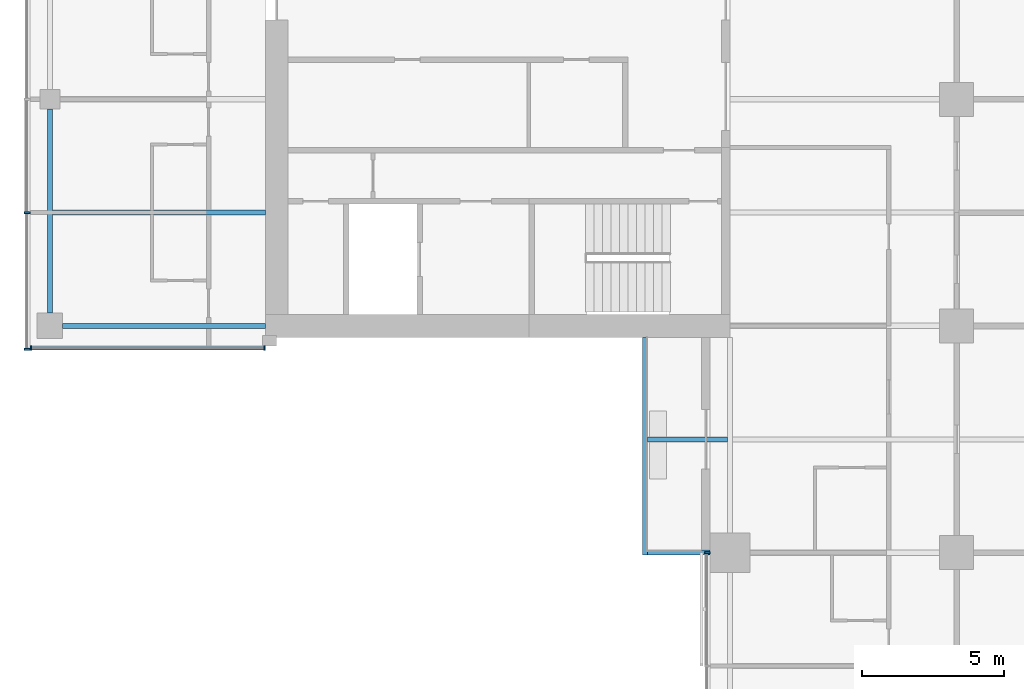
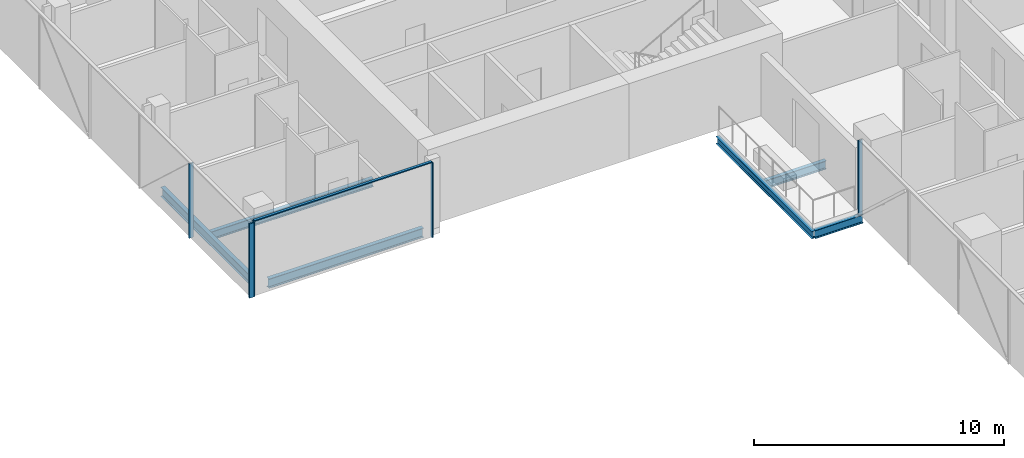
# One storey, part 3 of 29: 6 beams, 6 members, 3 elements without a shape of their own.
"""IFC4 building model written with IfcOpenShell, lengths in metres."""

from ifc_helpers import new_model, si_unit, direction, frame, origin, origin_2d, place, context, subcontext, project, spatial, rectangle, i_section, extrude, material, material_profile, profile_set, type_object, element, aggregate, save


model = new_model("IFC4")

# Units and contexts
model_context = context("Model", 3, precision=1e-05, world=origin(), true_north=direction((0.0, 1.0)))
body_context = subcontext(model_context, "Body", "Model", "MODEL_VIEW")
ifc_project = project(units=[si_unit("LENGTHUNIT", "METRE"), si_unit("AREAUNIT", "SQUARE_METRE"), si_unit("VOLUMEUNIT", "CUBIC_METRE"), si_unit("PLANEANGLEUNIT", "RADIAN"), si_unit("MASSUNIT", "GRAM", prefix="KILO")], contexts=[model_context])

# Site, building, storey
site_placement = place(None, origin())
site = spatial("IfcSite", under=ifc_project, at=site_placement, CompositionType="ELEMENT")
building_placement = place(site_placement, origin())
building = spatial("IfcBuilding", under=site, at=building_placement, Name="Crosswind Convention Tower", CompositionType="ELEMENT")
storey_placement = place(building_placement, frame((0.0, 0.0, 57.199951171875)))
storey = spatial("IfcBuildingStorey", under=building, at=storey_placement, Name="L08", CompositionType="ELEMENT", Elevation=57.199951171875)

# Beams
ifc_material_1 = material(Name="Steel S355", Category="steel")
ifc_material_profile_1 = material_profile(ifc_material_1, i_section(OverallWidth=0.177734375, OverallDepth=0.406494140625, WebThickness=0.0078125, FlangeThickness=0.0126953125, FilletRadius=0.01025390625, at=origin_2d()), Name="UB 406x178x60")
ifc_profile_set_1 = profile_set([ifc_material_profile_1], Name="Steel S355")
beam_type_1 = type_object("IfcBeamType", Name="Balcony cantilever UB 406x178x60", PredefinedType="BEAM", material=ifc_profile_set_1)
beam_1_placement = place(storey_placement, frame((112.90478515625, 84.0, -0.483154296875), z_axis=(-1.0, 0.0, 0.0), x_axis=(0.0, -1.0, 0.0)))
element("IfcBeam", 1, at=beam_1_placement, inside=storey, type_object=beam_type_1, Name="B35 L08 balcony cantilever SW 7", PredefinedType="BEAM", context=body_context, shape_type="SweptSolid", body=[
    extrude(i_section(OverallWidth=0.177734375, OverallDepth=0.406494140625, WebThickness=0.0078125, FlangeThickness=0.0126953125, FilletRadius=0.01025390625, at=origin_2d()), origin(), (0.0, 0.0, 1.0), 2.8193359375),
])
beam_2_placement = place(storey_placement, frame((112.300048828125, 80.0, -0.483154296875), z_axis=(-1.0, 0.0, 0.0), x_axis=(0.0, -1.0, 0.0)))
element("IfcBeam", 2, at=beam_2_placement, inside=storey, type_object=beam_type_1, Name="B35 L08 balcony cantilever SW 8", PredefinedType="BEAM", context=body_context, shape_type="SweptSolid", body=[
    extrude(i_section(OverallWidth=0.177734375, OverallDepth=0.406494140625, WebThickness=0.0078125, FlangeThickness=0.0126953125, FilletRadius=0.01025390625, at=origin_2d()), origin(), (0.0, 0.0, 1.0), 2.214599609375),
])
ifc_material_profile_2 = material_profile(ifc_material_1, i_section(OverallWidth=0.1708984375, OverallDepth=0.35205078125, WebThickness=0.0068359375, FlangeThickness=0.009765625, FilletRadius=0.01025390625, at=origin_2d()), Name="UB 356x171x45")
ifc_profile_set_2 = profile_set([ifc_material_profile_2], Name="Steel S355")
beam_type_2 = type_object("IfcBeamType", Name="Balcony edge beam UB 356x171x45", PredefinedType="BEAM", material=ifc_profile_set_2)
beam_3_placement = place(storey_placement, frame((110.0, 87.60009765625, -0.4560546875), z_axis=(0.0, -1.0, 0.0), x_axis=(1.0, 0.0, 0.0)))
element("IfcBeam", 3, at=beam_3_placement, inside=storey, type_object=beam_type_2, Name="B37 L08 balcony edge beam SW 9", PredefinedType="BEAM", context=body_context, shape_type="SweptSolid", body=[
    extrude(i_section(OverallWidth=0.1708984375, OverallDepth=0.35205078125, WebThickness=0.0068359375, FlangeThickness=0.009765625, FilletRadius=0.01025390625, at=origin_2d()), origin(), (0.0, 0.0, 1.0), 7.68896484375),
])
ifc_material_profile_3 = material_profile(ifc_material_1, i_section(OverallWidth=0.1904296875, OverallDepth=0.457275390625, WebThickness=0.009033203125, FlangeThickness=0.014404296875, FilletRadius=0.01025390625, at=origin_2d()), Name="UB 457x191x75")
ifc_profile_set_3 = profile_set([ifc_material_profile_3], Name="Steel S355")
beam_type_3 = type_object("IfcBeamType", Name="Edge beam UB 457x191x75", PredefinedType="SPANDREL", material=ifc_profile_set_3)
beam_4_placement = place(storey_placement, frame((89.0, 88.449951171875, -0.508544921875), z_axis=(0.0, 1.0, 0.0), x_axis=(-1.0, 0.0, 0.0)))
element("IfcBeam", 4, at=beam_4_placement, inside=storey, type_object=beam_type_3, Name="B17 L08 edge beam 1", PredefinedType="SPANDREL", context=body_context, shape_type="SweptSolid", body=[
    extrude(i_section(OverallWidth=0.1904296875, OverallDepth=0.457275390625, WebThickness=0.009033203125, FlangeThickness=0.014404296875, FilletRadius=0.01025390625, at=origin_2d()), origin(), (0.0, 0.0, 1.0), 7.199951171875),
])
beam_5_placement = place(storey_placement, frame((89.449951171875, 88.0, -0.508544921875), z_axis=(1.0, 0.0, 0.0), x_axis=(0.0, 1.0, 0.0)))
element("IfcBeam", 5, at=beam_5_placement, inside=storey, type_object=beam_type_3, Name="B17 L08 edge beam 4", PredefinedType="SPANDREL", context=body_context, shape_type="SweptSolid", body=[
    extrude(i_section(OverallWidth=0.1904296875, OverallDepth=0.457275390625, WebThickness=0.009033203125, FlangeThickness=0.014404296875, FilletRadius=0.01025390625, at=origin_2d()), origin(), (0.0, 0.0, 1.0), 7.150146484375),
])

# Curtain wall, members
ifc_material_2 = material(Name="Aluminium unitised curtain wall", Category="aluminium")
curtain_wall_type_1 = type_object("IfcCurtainWallType", Name="CORE END SLOT WALL 160", PredefinedType="USERDEFINED", material=ifc_material_2)
curtain_wall_1_placement = place(storey_placement, origin())
curtain_wall_1 = element("IfcCurtainWall", 6, at=curtain_wall_1_placement, inside=storey, type_object=curtain_wall_type_1, Name="CW6 L08 W-S.1-1 slot", ObjectType="UNITISED", PredefinedType="USERDEFINED")
ifc_material_3 = material(Name="Aluminium mullion", Category="aluminium")
ifc_material_profile_4 = material_profile(ifc_material_3, rectangle(XDim=0.159912109375, YDim=0.050048828125, at=origin_2d()), Name="AL 160X50")
ifc_profile_set_4 = profile_set([ifc_material_profile_4], Name="Aluminium mullion")
member_type_1 = type_object("IfcMemberType", Name="MULLION 50X160", PredefinedType="MULLION", material=ifc_profile_set_4)
member_1_placement = place(storey_placement, frame((88.324951171875, 87.219970703125, -0.280029296875), z_axis=(0.0, 0.0, 1.0), x_axis=(0.0, -1.0, 0.0)))
member_1 = element("IfcMember", 7, at=member_1_placement, type_object=member_type_1, Name="CW6 mullion 1", PredefinedType="MULLION", context=body_context, shape_type="SweptSolid", body=[
    extrude(rectangle(XDim=0.159912109375, YDim=0.050048828125, at=origin_2d()), origin(), (0.0, 0.0, 1.0), 3.650146484375),
])
member_2_placement = place(storey_placement, frame((96.574951171875, 87.219970703125, -0.280029296875), z_axis=(0.0, 0.0, 1.0), x_axis=(0.0, -1.0, 0.0)))
member_2 = element("IfcMember", 8, at=member_2_placement, type_object=member_type_1, Name="CW6 mullion 2", PredefinedType="MULLION", context=body_context, shape_type="SweptSolid", body=[
    extrude(rectangle(XDim=0.159912109375, YDim=0.050048828125, at=origin_2d()), origin(), (0.0, 0.0, 1.0), 3.650146484375),
])

curtain_wall_type_2 = type_object("IfcCurtainWallType", Name="HOTEL UNITISED WALL 200", PredefinedType="USERDEFINED", material=ifc_material_2)
curtain_wall_2_placement = place(storey_placement, origin())
curtain_wall_2 = element("IfcCurtainWall", 9, at=curtain_wall_2_placement, inside=storey, type_object=curtain_wall_type_2, Name="CW2 L08 W-TIP 1", ObjectType="UNITISED", PredefinedType="USERDEFINED")
ifc_material_profile_5 = material_profile(ifc_material_3, rectangle(XDim=0.199951171875, YDim=0.06494140625, at=origin_2d()), Name="AL 200X65")
ifc_profile_set_5 = profile_set([ifc_material_profile_5], Name="Aluminium mullion")
member_type_2 = type_object("IfcMemberType", Name="MULLION 65X200", PredefinedType="MULLION", material=ifc_profile_set_5)
member_3_placement = place(storey_placement, frame((88.199951171875, 92.0, -0.280029296875), z_axis=(0.0, 0.0, 1.0), x_axis=(-1.0, 0.0, 0.0)))
member_3 = element("IfcMember", 10, at=member_3_placement, type_object=member_type_2, Name="CW2 mullion 6", PredefinedType="MULLION", context=body_context, shape_type="SweptSolid", body=[
    extrude(rectangle(XDim=0.199951171875, YDim=0.06494140625, at=origin_2d()), origin(), (0.0, 0.0, 1.0), 3.635009765625),
])
member_4_placement = place(storey_placement, frame((88.199951171875, 87.172607421875, -0.280029296875), z_axis=(0.0, 0.0, 1.0), x_axis=(-1.0, 0.0, 0.0)))
member_4 = element("IfcMember", 11, at=member_4_placement, type_object=member_type_2, Name="CW2 mullion 7", PredefinedType="MULLION", context=body_context, shape_type="SweptSolid", body=[
    extrude(rectangle(XDim=0.199951171875, YDim=0.06494140625, at=origin_2d()), origin(), (0.0, 0.0, 1.0), 3.635009765625),
])
aggregate(curtain_wall_2, [member_3, member_4])

# Curtain wall, member
curtain_wall_3_placement = place(storey_placement, origin())
curtain_wall_3 = element("IfcCurtainWall", 12, at=curtain_wall_3_placement, inside=storey, type_object=curtain_wall_type_2, Name="CW2 L08 S-W 1", ObjectType="UNITISED", PredefinedType="USERDEFINED")
member_5_placement = place(storey_placement, frame((112.199951171875, 80.0, -0.280029296875), z_axis=(0.0, 0.0, 1.0), x_axis=(-1.0, 0.0, 0.0)))
member_5 = element("IfcMember", 13, at=member_5_placement, type_object=member_type_2, Name="CW2 mullion 1", PredefinedType="MULLION", context=body_context, shape_type="SweptSolid", body=[
    extrude(rectangle(XDim=0.199951171875, YDim=0.06494140625, at=origin_2d()), origin(), (0.0, 0.0, 1.0), 3.635009765625),
])
aggregate(curtain_wall_3, [member_5])

# Beam
ifc_material_profile_6 = material_profile(ifc_material_1, i_section(OverallWidth=0.177734375, OverallDepth=0.406494140625, WebThickness=0.0078125, FlangeThickness=0.0126953125, FilletRadius=0.01025390625, at=origin_2d()), Name="UB 406x178x60")
ifc_profile_set_6 = profile_set([ifc_material_profile_6], Name="Steel S355")
beam_type_4 = type_object("IfcBeamType", Name="Secondary beam UB 406x178x60", PredefinedType="JOIST", material=ifc_profile_set_6)
beam_6_placement = place(storey_placement, frame((89.09521484375, 92.0, -0.483154296875), z_axis=(1.0, 0.0, 0.0), x_axis=(0.0, 1.0, 0.0)))
element("IfcBeam", 14, at=beam_6_placement, inside=storey, type_object=beam_type_4, Name="B10 L08 secondary beam 1", PredefinedType="JOIST", context=body_context, shape_type="SweptSolid", body=[
    extrude(i_section(OverallWidth=0.177734375, OverallDepth=0.406494140625, WebThickness=0.0078125, FlangeThickness=0.0126953125, FilletRadius=0.01025390625, at=origin_2d()), origin(), (0.0, 0.0, 1.0), 7.5048828125),
])

# Member
ifc_material_4 = material(Name="Aluminium transom", Category="aluminium")
ifc_material_profile_7 = material_profile(ifc_material_4, rectangle(XDim=0.1201171875, YDim=0.050048828125, at=origin_2d()), Name="AL 120X50")
ifc_profile_set_7 = profile_set([ifc_material_profile_7], Name="Aluminium transom")
member_type_3 = type_object("IfcMemberType", Name="TRANSOM 50X120", PredefinedType="USERDEFINED", material=ifc_profile_set_7)
member_6_placement = place(storey_placement, frame((88.35009765625, 87.219970703125, 3.39501953125), z_axis=(1.0, 0.0, 0.0), x_axis=(0.0, 1.0, 0.0)))
member_6 = element("IfcMember", 15, at=member_6_placement, type_object=member_type_3, Name="CW6 transom", ObjectType="TRANSOM", PredefinedType="USERDEFINED", context=body_context, shape_type="SweptSolid", body=[
    extrude(rectangle(XDim=0.1201171875, YDim=0.050048828125, at=origin_2d()), origin(), (0.0, 0.0, 1.0), 8.199951171875),
])

aggregate(curtain_wall_1, [member_1, member_2, member_6])

save(model, "model.ifc")
